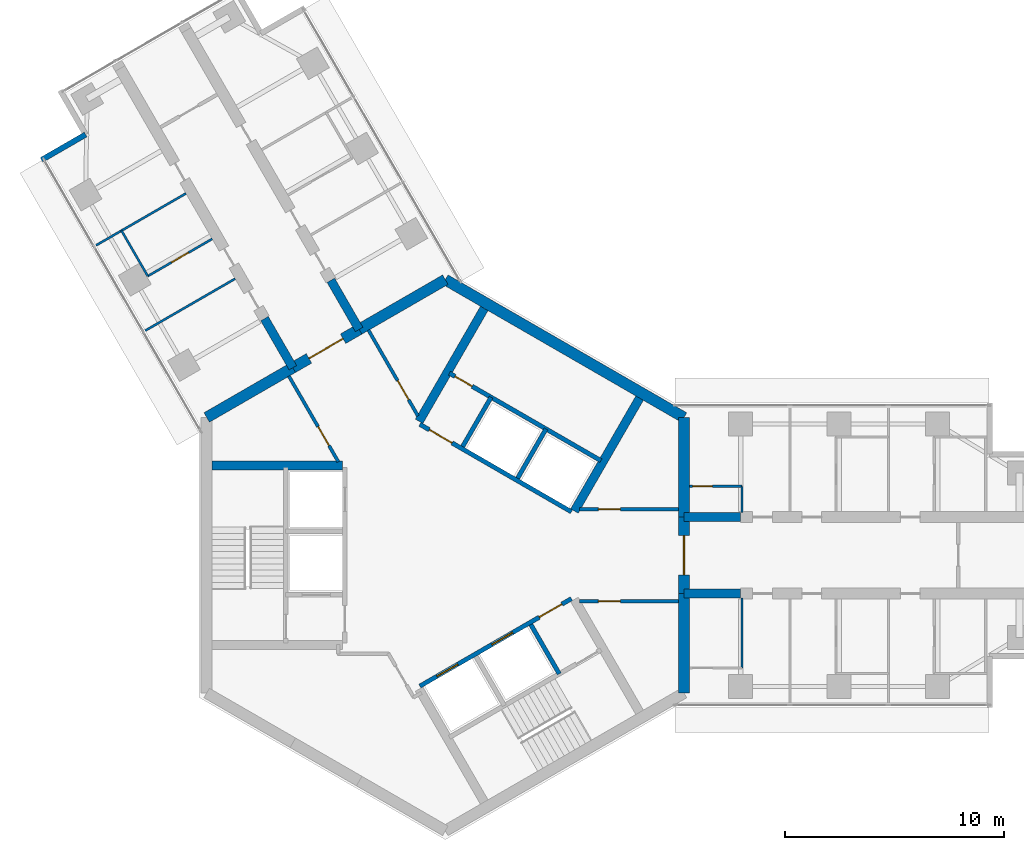
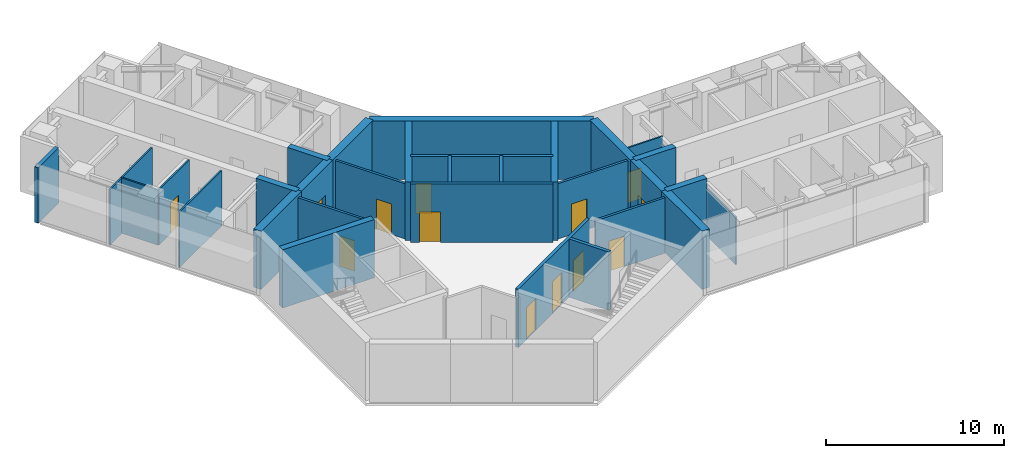
# One storey, part 12 of 17: 32 walls, 13 doors, 13 openings.
"""IFC4 building model written with IfcOpenShell, lengths in metres."""

from ifc_helpers import new_model, si_unit, direction, frame, frame_2d, origin, place, context, subcontext, project, spatial, rectangle, extrude, material, layer, layer_set, type_object, element, fill, save


model = new_model("IFC4")

# Units and contexts
model_context = context("Model", 3, precision=1e-05, world=origin(), true_north=direction((0.0, 1.0)))
body_context = subcontext(model_context, "Body", "Model", "MODEL_VIEW")
ifc_project = project(units=[si_unit("LENGTHUNIT", "METRE"), si_unit("AREAUNIT", "SQUARE_METRE"), si_unit("VOLUMEUNIT", "CUBIC_METRE"), si_unit("PLANEANGLEUNIT", "RADIAN"), si_unit("MASSUNIT", "GRAM", prefix="KILO")], contexts=[model_context])

# Site, building, storey
site_placement = place(None, origin())
site = spatial("IfcSite", under=ifc_project, at=site_placement, CompositionType="ELEMENT")
building_placement = place(site_placement, origin())
building = spatial("IfcBuilding", under=site, at=building_placement, Name="Upepo Twin Towers", CompositionType="ELEMENT")
storey_placement = place(building_placement, frame((0.0, 0.0, 230.5)))
storey = spatial("IfcBuildingStorey", under=building, at=storey_placement, Name="L56", CompositionType="ELEMENT", Elevation=230.5)

# Walls
ifc_material_1 = material(Name="Concrete C60/75", Category="concrete")
ifc_layer_1 = layer(ifc_material_1, 0.39990234375)
ifc_layer_set_1 = layer_set([ifc_layer_1], Name="Concrete C60/75")
wall_type_1 = type_object("IfcWallType", Name="Buttress wall 400 RC", PredefinedType="SHEAR", material=ifc_layer_set_1)
for number, where, z_axis, x_axis, name in (
    (1, (10.908447265625, 1.75, 0.0), (0.0, 0.0, 1.0), (1.0, 0.0, 0.0), "T1 wing A buttress wall L"),
    (2, (10.908447265625, -1.75, 0.0), (0.0, 0.0, 1.0), (1.0, 0.0, 0.0), "T1 wing A buttress wall R"),
):
    element("IfcWall", number, at=place(storey_placement, frame(where, z_axis=z_axis, x_axis=x_axis)), inside=storey, type_object=wall_type_1, Name=name, PredefinedType="SHEAR", context=body_context, shape_type="SweptSolid", body=[
        extrude(rectangle(XDim=2.591552734375, YDim=0.39990234375, at=frame_2d((1.2958984375, 0.0))), origin(), (0.0, 0.0, 1.0), 4.0),
    ])
for number, where, z_axis, x_axis, name in (
    (3, (-6.9697265625, 8.57177734375, 0.0), (0.0, 0.0, 1.0), (-0.499988811324, 0.866031863473, 0.0), "T1 wing B buttress wall L"),
    (4, (-3.938720703125, 10.32177734375, 0.0), (0.0, 0.0, 1.0), (-0.499918158782, 0.866072649678, 0.0), "T1 wing B buttress wall R"),
):
    element("IfcWall", number, at=place(storey_placement, frame(where, z_axis=z_axis, x_axis=x_axis)), inside=storey, type_object=wall_type_1, Name=name, PredefinedType="SHEAR", context=body_context, shape_type="SweptSolid", body=[
        extrude(rectangle(XDim=2.591796875, YDim=0.39990234375, at=frame_2d((1.2958984375, 0.0))), origin(), (0.0, 0.0, 1.0), 4.0),
    ])
ifc_material_2 = material(Name="Concrete C60/75", Category="concrete")
ifc_layer_2 = layer(ifc_material_2, 0.5)
ifc_layer_set_2 = layer_set([ifc_layer_2], Name="Concrete C60/75")
wall_type_2 = type_object("IfcWallType", Name="Core wall 500 RC", PredefinedType="SHEAR", material=ifc_layer_set_2)
wall_1_placement = place(storey_placement, frame((10.908447265625, -6.2978515625, 0.0), z_axis=(0.0, 0.0, 1.0), x_axis=(0.0, 1.0, 0.0)))
element("IfcWall", 5, at=wall_1_placement, inside=storey, type_object=wall_type_2, Name="T1 core wall 000 R", PredefinedType="SHEAR", context=body_context, shape_type="SweptSolid", body=[
    extrude(rectangle(XDim=4.5478515625, YDim=0.5, at=frame_2d((2.27392578125, 0.0))), origin(), (0.0, 0.0, 1.0), 4.0),
])

# Wall, opening, door
wall_2_placement = place(storey_placement, frame((10.908447265625, -1.75, 0.0), z_axis=(0.0, 0.0, 1.0), x_axis=(0.0, 1.0, 0.0)))
wall_2 = element("IfcWall", 6, at=wall_2_placement, inside=storey, type_object=wall_type_2, Name="T1 core wall 000", PredefinedType="SHEAR", context=body_context, shape_type="SweptSolid", body=[
    extrude(rectangle(XDim=3.5, YDim=0.5, at=frame_2d((1.75, 0.0))), origin(), (0.0, 0.0, 1.0), 4.0),
])
opening_1_placement = place(wall_2_placement, frame((0.85009765625, 0.0, 0.0)))
opening_1 = element("IfcOpeningElement", 7, at=opening_1_placement, cuts=wall_2, Name="Opening D2", PredefinedType="OPENING", context=body_context, shape_type="SweptSolid", body=[
    extrude(rectangle(XDim=1.800048828125, YDim=2.10009765625, at=frame_2d((0.89990234375, 1.050048828125))), frame((0.0, 0.260009765625, 0.0), z_axis=(0.0, -1.0, 0.0), x_axis=(1.0, 0.0, 0.0)), (0.0, 0.0, 1.0), 0.52001953125),
])
ifc_material_3 = material(Name="Timber doorset", Category="wood")
door_type_1 = type_object("IfcDoorType", Name="Corridor double door 1800 FD60", OperationType="DOUBLE_DOOR_DOUBLE_SWING", PredefinedType="DOOR", material=ifc_material_3)
door_1_placement = place(opening_1_placement, origin())
door_1 = element("IfcDoor", 8, at=door_1_placement, inside=storey, type_object=door_type_1, Name="T1 L56 wing A corridor door", OperationType="DOUBLE_DOOR_DOUBLE_SWING", OverallHeight=2.10009765625, OverallWidth=1.800048828125, PredefinedType="DOOR", context=body_context, shape_type="SweptSolid", body=[
    extrude(rectangle(XDim=1.800048828125, YDim=2.10009765625, at=frame_2d((0.89990234375, 1.050048828125))), frame((0.0, 0.02490234375, 0.0), z_axis=(0.0, -1.0, 0.0), x_axis=(1.0, 0.0, 0.0)), (0.0, 0.0, 1.0), 0.050048828125),
])
fill(opening_1, door_1)

# Walls
wall_3_placement = place(storey_placement, frame((10.908447265625, 1.75, 0.0), z_axis=(0.0, 0.0, 1.0), x_axis=(0.0, 1.0, 0.0)))
element("IfcWall", 9, at=wall_3_placement, inside=storey, type_object=wall_type_2, Name="T1 core wall 000 L", PredefinedType="SHEAR", context=body_context, shape_type="SweptSolid", body=[
    extrude(rectangle(XDim=4.5478515625, YDim=0.5, at=frame_2d((2.27392578125, 0.0))), origin(), (0.0, 0.0, 1.0), 4.0),
])
wall_4_placement = place(storey_placement, frame((10.908447265625, 6.2978515625, 0.0), z_axis=(0.0, 0.0, 1.0), x_axis=(-0.866021940709, 0.500005998175, 0.0)))
element("IfcWall", 10, at=wall_4_placement, inside=storey, type_object=wall_type_2, Name="T1 core wall 060", PredefinedType="SHEAR", context=body_context, shape_type="SweptSolid", body=[
    extrude(rectangle(XDim=12.595947265625, YDim=0.5, at=frame_2d((6.2978515625, 0.0))), origin(), (0.0, 0.0, 1.0), 4.0),
])
wall_5_placement = place(storey_placement, frame((0.0, 12.595947265625, 0.0), z_axis=(0.0, 0.0, 1.0), x_axis=(-0.866011268655, -0.500024481964, 0.0)))
element("IfcWall", 11, at=wall_5_placement, inside=storey, type_object=wall_type_2, Name="T1 core wall 120 R", PredefinedType="SHEAR", context=body_context, shape_type="SweptSolid", body=[
    extrude(rectangle(XDim=4.548095703125, YDim=0.5, at=frame_2d((2.27392578125, 0.0))), origin(), (0.0, 0.0, 1.0), 4.0),
])

# Wall, opening, door
wall_6_placement = place(storey_placement, frame((-3.938720703125, 10.32177734375, 0.0), z_axis=(0.0, 0.0, 1.0), x_axis=(-0.866019471182, -0.500010275428, 0.0)))
wall_6 = element("IfcWall", 12, at=wall_6_placement, inside=storey, type_object=wall_type_2, Name="T1 core wall 120", PredefinedType="SHEAR", context=body_context, shape_type="SweptSolid", body=[
    extrude(rectangle(XDim=3.5, YDim=0.5, at=frame_2d((1.75, 0.0))), origin(), (0.0, 0.0, 1.0), 4.0),
])
opening_2_placement = place(wall_6_placement, frame((0.85009765625, 0.0, 0.0)))
opening_2 = element("IfcOpeningElement", 13, at=opening_2_placement, cuts=wall_6, Name="Opening D2", PredefinedType="OPENING", context=body_context, shape_type="SweptSolid", body=[
    extrude(rectangle(XDim=1.800048828125, YDim=2.10009765625, at=frame_2d((0.89990234375, 1.050048828125))), frame((0.0, 0.260009765625, 0.0), z_axis=(0.0, -1.0, 0.0), x_axis=(1.0, 0.0, 0.0)), (0.0, 0.0, 1.0), 0.52001953125),
])
door_2_placement = place(opening_2_placement, origin())
door_2 = element("IfcDoor", 14, at=door_2_placement, inside=storey, type_object=door_type_1, Name="T1 L56 wing B corridor door", OperationType="DOUBLE_DOOR_DOUBLE_SWING", OverallHeight=2.10009765625, OverallWidth=1.800048828125, PredefinedType="DOOR", context=body_context, shape_type="SweptSolid", body=[
    extrude(rectangle(XDim=1.800048828125, YDim=2.10009765625, at=frame_2d((0.89990234375, 1.050048828125))), frame((0.0, 0.02490234375, 0.0), z_axis=(0.0, -1.0, 0.0), x_axis=(1.0, 0.0, 0.0)), (0.0, 0.0, 1.0), 0.050048828125),
])
fill(opening_2, door_2)

# Walls
wall_7_placement = place(storey_placement, frame((-6.9697265625, 8.57177734375, 0.0), z_axis=(0.0, 0.0, 1.0), x_axis=(-0.866034513004, -0.499984222037, 0.0)))
element("IfcWall", 15, at=wall_7_placement, inside=storey, type_object=wall_type_2, Name="T1 core wall 120 L", PredefinedType="SHEAR", context=body_context, shape_type="SweptSolid", body=[
    extrude(rectangle(XDim=4.548095703125, YDim=0.5, at=frame_2d((2.27392578125, 0.0))), origin(), (0.0, 0.0, 1.0), 4.0),
])
ifc_material_4 = material(Name="Blockwork with anodised aluminium cladding", Category="masonry")
ifc_layer_3 = layer(ifc_material_4, 0.25)
ifc_layer_set_3 = layer_set([ifc_layer_3], Name="Notch cladding wall 250, pale metal")
wall_type_3 = type_object("IfcWallType", Name="Notch cladding wall 250, pale metal", PredefinedType="STANDARD", material=ifc_layer_set_3)
wall_8_placement = place(storey_placement, frame((-18.456298828125, 18.0673828125, 0.0), z_axis=(0.0, 0.0, 1.0), x_axis=(0.865998469481, 0.500046648681, 0.0)))
element("IfcWall", 16, at=wall_8_placement, inside=storey, type_object=wall_type_3, Name="T1 L56 wing B notch wall L1", PredefinedType="STANDARD", context=body_context, shape_type="SweptSolid", body=[
    extrude(rectangle(XDim=2.324951171875, YDim=0.25, at=frame_2d((1.16259765625, 0.0))), origin(), (0.0, 0.0, 1.0), 3.800048828125),
])

# Wall, opening, door
ifc_material_5 = material(Name="Gypsum board on steel studs", Category="steel")
ifc_layer_4 = layer(ifc_material_5, 0.10009765625)
ifc_layer_set_4 = layer_set([ifc_layer_4], Name="Office partition 100 stud")
wall_type_4 = type_object("IfcWallType", Name="Office partition 100 stud", PredefinedType="PARTITIONING", material=ifc_layer_set_4)
wall_9_placement = place(storey_placement, frame((11.157958984375, 3.14990234375, 0.0), z_axis=(0.0, 0.0, 1.0), x_axis=(1.0, 0.0, 0.0)))
wall_9 = element("IfcWall", 17, at=wall_9_placement, inside=storey, type_object=wall_type_4, Name="T1 WC bay partition AL at 11.16", PredefinedType="PARTITIONING", context=body_context, shape_type="SweptSolid", body=[
    extrude(rectangle(XDim=2.400146484375, YDim=0.10009765625, at=frame_2d((1.2001953125, 0.0))), origin(), (0.0, 0.0, 1.0), 3.800048828125),
])
opening_3_placement = place(wall_9_placement, frame((0.14990234375, 0.0, 0.0)))
opening_3 = element("IfcOpeningElement", 18, at=opening_3_placement, cuts=wall_9, Name="Opening D14", PredefinedType="OPENING", context=body_context, shape_type="SweptSolid", body=[
    extrude(rectangle(XDim=0.89990234375, YDim=2.10009765625, at=frame_2d((0.449951171875, 1.050048828125))), frame((0.0, 0.06005859375, 0.0), z_axis=(0.0, -1.0, 0.0), x_axis=(1.0, 0.0, 0.0)), (0.0, 0.0, 1.0), 0.1201171875),
])
ifc_material_6 = material(Name="Timber doorset", Category="wood")
door_type_2 = type_object("IfcDoorType", Name="Office door 900 FD30", OperationType="SINGLE_SWING_LEFT", PredefinedType="DOOR", material=ifc_material_6)
door_3_placement = place(opening_3_placement, origin())
door_3 = element("IfcDoor", 19, at=door_3_placement, inside=storey, type_object=door_type_2, Name="T1 L56 WC bay inner room door", OperationType="SINGLE_SWING_LEFT", OverallHeight=2.10009765625, OverallWidth=0.89990234375, PredefinedType="DOOR", context=body_context, shape_type="SweptSolid", body=[
    extrude(rectangle(XDim=0.89990234375, YDim=2.10009765625, at=frame_2d((0.449951171875, 1.050048828125))), frame((0.0, 0.02490234375, 0.0), z_axis=(0.0, -1.0, 0.0), x_axis=(1.0, 0.0, 0.0)), (0.0, 0.0, 1.0), 0.050048828125),
])
fill(opening_3, door_3)

# Walls
wall_10_placement = place(storey_placement, frame((13.55810546875, 1.949951171875, 0.0), z_axis=(0.0, 0.0, 1.0), x_axis=(0.0, 1.0, 0.0)))
element("IfcWall", 20, at=wall_10_placement, inside=storey, type_object=wall_type_4, Name="T1 WC bay partition AL end at 13.56", PredefinedType="PARTITIONING", context=body_context, shape_type="SweptSolid", body=[
    extrude(rectangle(XDim=1.199951171875, YDim=0.10009765625, at=frame_2d((0.60009765625, 0.0))), origin(), (0.0, 0.0, 1.0), 3.266845703125),
])
wall_11_placement = place(storey_placement, frame((13.55810546875, -1.949951171875, 0.0), z_axis=(0.0, 0.0, 1.0), x_axis=(0.0, -1.0, 0.0)))
element("IfcWall", 21, at=wall_11_placement, inside=storey, type_object=wall_type_4, Name="T1 WC bay partition AR end at 13.56", PredefinedType="PARTITIONING", context=body_context, shape_type="SweptSolid", body=[
    extrude(rectangle(XDim=3.199951171875, YDim=0.10009765625, at=frame_2d((1.60009765625, 0.0))), origin(), (0.0, 0.0, 1.0), 3.266845703125),
])
for number, where, z_axis, x_axis, name in (
    (22, (-9.60693359375, 12.639892578125, 0.0), (0.0, 0.0, 1.0), (-0.866033238375, -0.499986429846, 0.0), "T1 partition BL at 15.75"),
    (23, (-11.85693359375, 16.537109375, 0.0), (0.0, 0.0, 1.0), (-0.866033238375, -0.499986429846, 0.0), "T1 partition BL at 20.25"),
):
    element("IfcWall", number, at=place(storey_placement, frame(where, z_axis=z_axis, x_axis=x_axis)), inside=storey, type_object=wall_type_4, Name=name, PredefinedType="PARTITIONING", context=body_context, shape_type="SweptSolid", body=[
        extrude(rectangle(XDim=4.750244140625, YDim=0.10009765625, at=frame_2d((2.375, 0.0))), origin(), (0.0, 0.0, 1.0), 3.800048828125),
    ])
wall_12_placement = place(storey_placement, frame((-13.6015625, 12.758544921875, 0.0), z_axis=(0.0, 0.0, 1.0), x_axis=(-0.500001309137, 0.866024647952, 0.0)))
element("IfcWall", 24, at=wall_12_placement, inside=storey, type_object=wall_type_4, Name="T1 inner room partition BL at 17.85", PredefinedType="PARTITIONING", context=body_context, shape_type="SweptSolid", body=[
    extrude(rectangle(XDim=2.39990234375, YDim=0.10009765625, at=frame_2d((1.199951171875, 0.0))), origin(), (0.0, 0.0, 1.0), 3.800048828125),
])

# Wall, opening, door
wall_13_placement = place(storey_placement, frame((-10.656982421875, 14.45849609375, 0.0), z_axis=(0.0, 0.0, 1.0), x_axis=(-0.866038511948, -0.499977295307, 0.0)))
wall_13 = element("IfcWall", 25, at=wall_13_placement, inside=storey, type_object=wall_type_4, Name="T1 inner room partition BL end at 17.85", PredefinedType="PARTITIONING", context=body_context, shape_type="SweptSolid", body=[
    extrude(rectangle(XDim=3.400146484375, YDim=0.10009765625, at=frame_2d((1.7001953125, 0.0))), origin(), (0.0, 0.0, 1.0), 3.800048828125),
])
opening_4_placement = place(wall_13_placement, frame((1.25, 0.0, 0.0)))
opening_4 = element("IfcOpeningElement", 26, at=opening_4_placement, cuts=wall_13, Name="Opening D14", PredefinedType="OPENING", context=body_context, shape_type="SweptSolid", body=[
    extrude(rectangle(XDim=0.89990234375, YDim=2.10009765625, at=frame_2d((0.449951171875, 1.050048828125))), frame((0.0, 0.06005859375, 0.0), z_axis=(0.0, -1.0, 0.0), x_axis=(1.0, 0.0, 0.0)), (0.0, 0.0, 1.0), 0.1201171875),
])
door_4_placement = place(opening_4_placement, origin())
door_4 = element("IfcDoor", 27, at=door_4_placement, inside=storey, type_object=door_type_2, Name="T1 L56 inner room door", OperationType="SINGLE_SWING_LEFT", OverallHeight=2.10009765625, OverallWidth=0.89990234375, PredefinedType="DOOR", context=body_context, shape_type="SweptSolid", body=[
    extrude(rectangle(XDim=0.89990234375, YDim=2.10009765625, at=frame_2d((0.449951171875, 1.050048828125))), frame((0.0, 0.02490234375, 0.0), z_axis=(0.0, -1.0, 0.0), x_axis=(1.0, 0.0, 0.0)), (0.0, 0.0, 1.0), 0.050048828125),
])
fill(opening_4, door_4)

ifc_material_7 = material(Name="Concrete C40/50", Category="concrete")
ifc_layer_5 = layer(ifc_material_7, 0.199951171875)
ifc_layer_set_5 = layer_set([ifc_layer_5], Name="Concrete C40/50")
wall_type_5 = type_object("IfcWallType", Name="Shaft wall 200 RC", PredefinedType="SHEAR", material=ifc_layer_set_5)
wall_14_placement = place(storey_placement, frame((5.76416015625, 1.983642578125, 0.0), z_axis=(0.0, 0.0, 1.0), x_axis=(-0.866026010844, 0.49999894854, 0.0)))
wall_14 = element("IfcWall", 28, at=wall_14_placement, inside=storey, type_object=wall_type_5, Name="T1 core W60 front wall", PredefinedType="SHEAR", context=body_context, shape_type="SweptSolid", body=[
    extrude(rectangle(XDim=8.0, YDim=0.199951171875, at=frame_2d((4.0, 0.0))), origin(), (0.0, 0.0, 1.0), 4.0),
])
opening_5_placement = place(wall_14_placement, frame((6.300048828125, 0.0, 0.0)))
opening_5 = element("IfcOpeningElement", 29, at=opening_5_placement, cuts=wall_14, Name="Opening D4", PredefinedType="OPENING", context=body_context, shape_type="SweptSolid", body=[
    extrude(rectangle(XDim=1.199951171875, YDim=2.10009765625, at=frame_2d((0.60009765625, 1.050048828125))), frame((0.0, 0.10986328125, 0.0), z_axis=(0.0, -1.0, 0.0), x_axis=(1.0, 0.0, 0.0)), (0.0, 0.0, 1.0), 0.219970703125),
])
ifc_material_8 = material(Name="Timber doorset", Category="wood")
door_type_3 = type_object("IfcDoorType", Name="Lobby door 1200 FD60", OperationType="SINGLE_SWING_LEFT", PredefinedType="DOOR", material=ifc_material_8)
door_5_placement = place(opening_5_placement, origin())
door_5 = element("IfcDoor", 30, at=door_5_placement, inside=storey, type_object=door_type_3, Name="T1 L56 W60 lobby door", OperationType="SINGLE_SWING_RIGHT", OverallHeight=2.10009765625, OverallWidth=1.199951171875, PredefinedType="DOOR", context=body_context, shape_type="SweptSolid", body=[
    extrude(rectangle(XDim=1.199951171875, YDim=2.10009765625, at=frame_2d((0.60009765625, 1.050048828125))), frame((0.0, 0.02490234375, 0.0), z_axis=(0.0, -1.0, 0.0), x_axis=(1.0, 0.0, 0.0)), (0.0, 0.0, 1.0), 0.050048828125),
])
fill(opening_5, door_5)

# Walls
for number, where, z_axis, x_axis, name in (
    (31, (3.302734375, 3.520263671875, 0.0), (0.0, 0.0, 1.0), (0.499936506574, 0.866062058628, 0.0), "T1 core W60 shaft divider"),
    (32, (0.791259765625, 4.97021484375, 0.0), (0.0, 0.0, 1.0), (0.499936506574, 0.866062058628, 0.0), "T1 core W60 lobby wall"),
):
    element("IfcWall", number, at=place(storey_placement, frame(where, z_axis=z_axis, x_axis=x_axis)), inside=storey, type_object=wall_type_5, Name=name, PredefinedType="SHEAR", context=body_context, shape_type="SweptSolid", body=[
        extrude(rectangle(XDim=2.599853515625, YDim=0.199951171875, at=frame_2d((1.2998046875, 0.0))), origin(), (0.0, 0.0, 1.0), 4.0),
    ])

# Wall, opening, door
wall_15_placement = place(storey_placement, frame((7.114013671875, 4.322021484375, 0.0), z_axis=(0.0, 0.0, 1.0), x_axis=(-0.866026010844, 0.49999894854, 0.0)))
wall_15 = element("IfcWall", 33, at=wall_15_placement, inside=storey, type_object=wall_type_5, Name="T1 core W60 stair wall", PredefinedType="SHEAR", context=body_context, shape_type="SweptSolid", body=[
    extrude(rectangle(XDim=8.0, YDim=0.199951171875, at=frame_2d((4.0, 0.0))), origin(), (0.0, 0.0, 1.0), 4.0),
])
opening_6_placement = place(wall_15_placement, frame((6.800048828125, 0.0, 0.0)))
opening_6 = element("IfcOpeningElement", 34, at=opening_6_placement, cuts=wall_15, Name="Opening D9", PredefinedType="OPENING", context=body_context, shape_type="SweptSolid", body=[
    extrude(rectangle(XDim=0.89990234375, YDim=2.10009765625, at=frame_2d((0.449951171875, 1.050048828125))), frame((0.0, 0.10986328125, 0.0), z_axis=(0.0, -1.0, 0.0), x_axis=(1.0, 0.0, 0.0)), (0.0, 0.0, 1.0), 0.219970703125),
])
ifc_material_9 = material(Name="Timber doorset", Category="wood")
door_type_4 = type_object("IfcDoorType", Name="Riser door 900 FD60", OperationType="SINGLE_SWING_LEFT", PredefinedType="DOOR", material=ifc_material_9)
door_6_placement = place(opening_6_placement, origin())
door_6 = element("IfcDoor", 35, at=door_6_placement, inside=storey, type_object=door_type_4, Name="T1 L56 riser door", OperationType="SINGLE_SWING_RIGHT", OverallHeight=2.10009765625, OverallWidth=0.89990234375, PredefinedType="DOOR", context=body_context, shape_type="SweptSolid", body=[
    extrude(rectangle(XDim=0.89990234375, YDim=2.10009765625, at=frame_2d((0.449951171875, 1.050048828125))), frame((0.0, 0.02490234375, 0.0), z_axis=(0.0, -1.0, 0.0), x_axis=(1.0, 0.0, 0.0)), (0.0, 0.0, 1.0), 0.050048828125),
])
fill(opening_6, door_6)

# Wall, openings, doors
wall_16_placement = place(storey_placement, frame((-1.1640625, -5.983642578125, 0.0), z_axis=(0.0, 0.0, 1.0), x_axis=(0.866026010844, 0.49999894854, 0.0)))
wall_16 = element("IfcWall", 36, at=wall_16_placement, inside=storey, type_object=wall_type_5, Name="T1 core W300 front wall", PredefinedType="SHEAR", context=body_context, shape_type="SweptSolid", body=[
    extrude(rectangle(XDim=8.0, YDim=0.199951171875, at=frame_2d((4.0, 0.0))), origin(), (0.0, 0.0, 1.0), 4.0),
])
opening_7_placement = place(wall_16_placement, frame((6.300048828125, 0.0, 0.0)))
opening_7 = element("IfcOpeningElement", 37, at=opening_7_placement, cuts=wall_16, Name="Opening D4", PredefinedType="OPENING", context=body_context, shape_type="SweptSolid", body=[
    extrude(rectangle(XDim=1.199951171875, YDim=2.10009765625, at=frame_2d((0.60009765625, 1.050048828125))), frame((0.0, 0.10986328125, 0.0), z_axis=(0.0, -1.0, 0.0), x_axis=(1.0, 0.0, 0.0)), (0.0, 0.0, 1.0), 0.219970703125),
])
opening_8_placement = place(wall_16_placement, frame((0.89990234375, 0.0, 0.0)))
opening_8 = element("IfcOpeningElement", 38, at=opening_8_placement, cuts=wall_16, Name="Opening LD1", PredefinedType="OPENING", context=body_context, shape_type="SweptSolid", body=[
    extrude(rectangle(XDim=1.10009765625, YDim=2.199951171875, at=frame_2d((0.550048828125, 1.10009765625))), frame((0.0, 0.10986328125, 0.0), z_axis=(0.0, -1.0, 0.0), x_axis=(1.0, 0.0, 0.0)), (0.0, 0.0, 1.0), 0.219970703125),
])
opening_9_placement = place(wall_16_placement, frame((3.800048828125, 0.0, 0.0)))
opening_9 = element("IfcOpeningElement", 39, at=opening_9_placement, cuts=wall_16, Name="Opening LD1", PredefinedType="OPENING", context=body_context, shape_type="SweptSolid", body=[
    extrude(rectangle(XDim=1.10009765625, YDim=2.199951171875, at=frame_2d((0.550048828125, 1.10009765625))), frame((0.0, 0.10986328125, 0.0), z_axis=(0.0, -1.0, 0.0), x_axis=(1.0, 0.0, 0.0)), (0.0, 0.0, 1.0), 0.219970703125),
])
ifc_material_10 = material(Name="Steel doorset", Category="steel")
door_type_5 = type_object("IfcDoorType", Name="Lift landing door 1100", OperationType="DOUBLE_DOOR_SLIDING", PredefinedType="DOOR", material=ifc_material_10)
door_7_placement = place(opening_8_placement, origin())
door_7 = element("IfcDoor", 40, at=door_7_placement, inside=storey, type_object=door_type_5, Name="T1 L56 lift UL1 landing door", OperationType="DOUBLE_DOOR_SLIDING", OverallHeight=2.199951171875, OverallWidth=1.10009765625, PredefinedType="DOOR", context=body_context, shape_type="SweptSolid", body=[
    extrude(rectangle(XDim=1.10009765625, YDim=2.199951171875, at=frame_2d((0.550048828125, 1.10009765625))), frame((0.0, 0.02490234375, 0.0), z_axis=(0.0, -1.0, 0.0), x_axis=(1.0, 0.0, 0.0)), (0.0, 0.0, 1.0), 0.050048828125),
])
fill(opening_8, door_7)
door_8_placement = place(opening_9_placement, origin())
door_8 = element("IfcDoor", 41, at=door_8_placement, inside=storey, type_object=door_type_5, Name="T1 L56 lift UL2 landing door", OperationType="DOUBLE_DOOR_SLIDING", OverallHeight=2.199951171875, OverallWidth=1.10009765625, PredefinedType="DOOR", context=body_context, shape_type="SweptSolid", body=[
    extrude(rectangle(XDim=1.10009765625, YDim=2.199951171875, at=frame_2d((0.550048828125, 1.10009765625))), frame((0.0, 0.02490234375, 0.0), z_axis=(0.0, -1.0, 0.0), x_axis=(1.0, 0.0, 0.0)), (0.0, 0.0, 1.0), 0.050048828125),
])
fill(opening_9, door_8)
door_9_placement = place(opening_7_placement, origin())
door_9 = element("IfcDoor", 42, at=door_9_placement, inside=storey, type_object=door_type_3, Name="T1 L56 W300 lobby door", OperationType="SINGLE_SWING_RIGHT", OverallHeight=2.10009765625, OverallWidth=1.199951171875, PredefinedType="DOOR", context=body_context, shape_type="SweptSolid", body=[
    extrude(rectangle(XDim=1.199951171875, YDim=2.10009765625, at=frame_2d((0.60009765625, 1.050048828125))), frame((0.0, 0.02490234375, 0.0), z_axis=(0.0, -1.0, 0.0), x_axis=(1.0, 0.0, 0.0)), (0.0, 0.0, 1.0), 0.050048828125),
])
fill(opening_7, door_9)

# Walls
wall_17_placement = place(storey_placement, frame((3.908935546875, -3.17041015625, 0.0), z_axis=(0.0, 0.0, 1.0), x_axis=(0.49997716683, -0.86603858612, 0.0)))
element("IfcWall", 43, at=wall_17_placement, inside=storey, type_object=wall_type_5, Name="T1 core W300 lobby wall", PredefinedType="SHEAR", context=body_context, shape_type="SweptSolid", body=[
    extrude(rectangle(XDim=2.599609375, YDim=0.199951171875, at=frame_2d((1.2998046875, 0.0))), origin(), (0.0, 0.0, 1.0), 4.0),
])
ifc_material_11 = material(Name="Concrete C40/50", Category="concrete")
ifc_layer_6 = layer(ifc_material_11, 0.39990234375)
ifc_layer_set_6 = layer_set([ifc_layer_6], Name="Concrete C40/50")
wall_type_6 = type_object("IfcWallType", Name="Shaft wall 400 RC", PredefinedType="SHEAR", material=ifc_layer_set_6)
wall_18_placement = place(storey_placement, frame((-1.20068359375, 6.120361328125, 0.0), z_axis=(0.0, 0.0, 1.0), x_axis=(0.500021575205, 0.866012946976, 0.0)))
element("IfcWall", 44, at=wall_18_placement, inside=storey, type_object=wall_type_6, Name="T1 core W60 side wall N", PredefinedType="SHEAR", context=body_context, shape_type="SweptSolid", body=[
    extrude(rectangle(XDim=5.958251953125, YDim=0.39990234375, at=frame_2d((2.97900390625, 0.0))), origin(), (0.0, 0.0, 1.0), 4.0),
])
for number, where, z_axis, x_axis, name in (
    (45, (5.900634765625, 2.020263671875, 0.0), (0.0, 0.0, 1.0), (0.500003832394, 0.86602319114, 0.0), "T1 core W60 side wall S"),
    (46, (-4.699951171875, 4.10009765625, 0.0), (0.0, 0.0, 1.0), (-1.0, 0.0, 0.0), "T1 core W180 side wall S"),
):
    element("IfcWall", number, at=place(storey_placement, frame(where, z_axis=z_axis, x_axis=x_axis)), inside=storey, type_object=wall_type_6, Name=name, PredefinedType="SHEAR", context=body_context, shape_type="SweptSolid", body=[
        extrude(rectangle(XDim=5.95849609375, YDim=0.39990234375, at=frame_2d((2.979248046875, 0.0))), origin(), (0.0, 0.0, 1.0), 4.0),
    ])

# Wall, opening, door
ifc_material_12 = material(Name="Gypsum board on steel studs", Category="steel")
ifc_layer_7 = layer(ifc_material_12, 0.14990234375)
ifc_layer_set_7 = layer_set([ifc_layer_7], Name="Teaching partition 150 acoustic")
wall_type_7 = type_object("IfcWallType", Name="Teaching partition 150 acoustic", PredefinedType="PARTITIONING", material=ifc_layer_set_7)
wall_19_placement = place(storey_placement, frame((-4.889892578125, 4.269775390625, 0.0), z_axis=(0.0, 0.0, 1.0), x_axis=(-0.500032211057, 0.866006805923, 0.0)))
wall_19 = element("IfcWall", 47, at=wall_19_placement, inside=storey, type_object=wall_type_7, Name="T1 core room partition 4", PredefinedType="PARTITIONING", context=body_context, shape_type="SweptSolid", body=[
    extrude(rectangle(XDim=4.525634765625, YDim=0.14990234375, at=frame_2d((2.2626953125, 0.0))), origin(), (0.0, 0.0, 1.0), 3.800048828125),
])
opening_10_placement = place(wall_19_placement, frame((0.857666015625, 0.0, 0.0)))
opening_10 = element("IfcOpeningElement", 48, at=opening_10_placement, cuts=wall_19, Name="Opening D1", PredefinedType="OPENING", context=body_context, shape_type="SweptSolid", body=[
    extrude(rectangle(XDim=1.0, YDim=2.10009765625, at=frame_2d((0.5, 1.050048828125))), frame((0.0, 0.0849609375, 0.0), z_axis=(0.0, -1.0, 0.0), x_axis=(1.0, 0.0, 0.0)), (0.0, 0.0, 1.0), 0.169921875),
])
ifc_material_13 = material(Name="Timber doorset", Category="wood")
door_type_6 = type_object("IfcDoorType", Name="Room door 1000 FD30", OperationType="SINGLE_SWING_LEFT", PredefinedType="DOOR", material=ifc_material_13)
door_10_placement = place(opening_10_placement, origin())
door_10 = element("IfcDoor", 49, at=door_10_placement, inside=storey, type_object=door_type_6, Name="T1 L56 core room door K5", OperationType="SINGLE_SWING_LEFT", OverallHeight=2.10009765625, OverallWidth=1.0, PredefinedType="DOOR", context=body_context, shape_type="SweptSolid", body=[
    extrude(rectangle(XDim=1.0, YDim=2.10009765625, at=frame_2d((0.5, 1.050048828125))), frame((0.0, 0.02490234375, 0.0), z_axis=(0.0, -1.0, 0.0), x_axis=(1.0, 0.0, 0.0)), (0.0, 0.0, 1.0), 0.050048828125),
])
fill(opening_10, door_10)

wall_20_placement = place(storey_placement, frame((-3.515380859375, 10.2890625, 0.0), z_axis=(0.0, 0.0, 1.0), x_axis=(0.499968392031, -0.866043651885, 0.0)))
wall_20 = element("IfcWall", 50, at=wall_20_placement, inside=storey, type_object=wall_type_7, Name="T1 core room partition 5", PredefinedType="PARTITIONING", context=body_context, shape_type="SweptSolid", body=[
    extrude(rectangle(XDim=4.525634765625, YDim=0.14990234375, at=frame_2d((2.2626953125, 0.0))), origin(), (0.0, 0.0, 1.0), 3.800048828125),
])
opening_11_placement = place(wall_20_placement, frame((2.66796875, 0.0, 0.0)))
opening_11 = element("IfcOpeningElement", 51, at=opening_11_placement, cuts=wall_20, Name="Opening D1", PredefinedType="OPENING", context=body_context, shape_type="SweptSolid", body=[
    extrude(rectangle(XDim=1.0, YDim=2.10009765625, at=frame_2d((0.5, 1.050048828125))), frame((0.0, 0.0849609375, 0.0), z_axis=(0.0, -1.0, 0.0), x_axis=(1.0, 0.0, 0.0)), (0.0, 0.0, 1.0), 0.169921875),
])
door_11_placement = place(opening_11_placement, origin())
door_11 = element("IfcDoor", 52, at=door_11_placement, inside=storey, type_object=door_type_6, Name="T1 L56 core room door K4", OperationType="SINGLE_SWING_RIGHT", OverallHeight=2.10009765625, OverallWidth=1.0, PredefinedType="DOOR", context=body_context, shape_type="SweptSolid", body=[
    extrude(rectangle(XDim=1.0, YDim=2.10009765625, at=frame_2d((0.5, 1.050048828125))), frame((0.0, 0.02490234375, 0.0), z_axis=(0.0, -1.0, 0.0), x_axis=(1.0, 0.0, 0.0)), (0.0, 0.0, 1.0), 0.050048828125),
])
fill(opening_11, door_11)

wall_21_placement = place(storey_placement, frame((6.142578125, 2.10009765625, 0.0), z_axis=(0.0, 0.0, 1.0), x_axis=(1.0, 0.0, 0.0)))
wall_21 = element("IfcWall", 53, at=wall_21_placement, inside=storey, type_object=wall_type_7, Name="T1 core room partition 6", PredefinedType="PARTITIONING", context=body_context, shape_type="SweptSolid", body=[
    extrude(rectangle(XDim=4.525634765625, YDim=0.14990234375, at=frame_2d((2.2626953125, 0.0))), origin(), (0.0, 0.0, 1.0), 3.800048828125),
])
opening_12_placement = place(wall_21_placement, frame((0.857666015625, 0.0, 0.0)))
opening_12 = element("IfcOpeningElement", 54, at=opening_12_placement, cuts=wall_21, Name="Opening D1", PredefinedType="OPENING", context=body_context, shape_type="SweptSolid", body=[
    extrude(rectangle(XDim=1.0, YDim=2.10009765625, at=frame_2d((0.5, 1.050048828125))), frame((0.0, 0.0849609375, 0.0), z_axis=(0.0, -1.0, 0.0), x_axis=(1.0, 0.0, 0.0)), (0.0, 0.0, 1.0), 0.169921875),
])
door_12_placement = place(opening_12_placement, origin())
door_12 = element("IfcDoor", 55, at=door_12_placement, inside=storey, type_object=door_type_6, Name="T1 L56 core room door K3", OperationType="SINGLE_SWING_LEFT", OverallHeight=2.10009765625, OverallWidth=1.0, PredefinedType="DOOR", context=body_context, shape_type="SweptSolid", body=[
    extrude(rectangle(XDim=1.0, YDim=2.10009765625, at=frame_2d((0.5, 1.050048828125))), frame((0.0, 0.02490234375, 0.0), z_axis=(0.0, -1.0, 0.0), x_axis=(1.0, 0.0, 0.0)), (0.0, 0.0, 1.0), 0.050048828125),
])
fill(opening_12, door_12)

wall_22_placement = place(storey_placement, frame((10.668212890625, -2.10009765625, 0.0), z_axis=(0.0, 0.0, 1.0), x_axis=(-1.0, 0.0, 0.0)))
wall_22 = element("IfcWall", 56, at=wall_22_placement, inside=storey, type_object=wall_type_7, Name="T1 core room partition 7", PredefinedType="PARTITIONING", context=body_context, shape_type="SweptSolid", body=[
    extrude(rectangle(XDim=4.525634765625, YDim=0.14990234375, at=frame_2d((2.2626953125, 0.0))), origin(), (0.0, 0.0, 1.0), 3.800048828125),
])
opening_13_placement = place(wall_22_placement, frame((2.66796875, 0.0, 0.0)))
opening_13 = element("IfcOpeningElement", 57, at=opening_13_placement, cuts=wall_22, Name="Opening D1", PredefinedType="OPENING", context=body_context, shape_type="SweptSolid", body=[
    extrude(rectangle(XDim=1.0, YDim=2.10009765625, at=frame_2d((0.5, 1.050048828125))), frame((0.0, 0.0849609375, 0.0), z_axis=(0.0, -1.0, 0.0), x_axis=(1.0, 0.0, 0.0)), (0.0, 0.0, 1.0), 0.169921875),
])
door_13_placement = place(opening_13_placement, origin())
door_13 = element("IfcDoor", 58, at=door_13_placement, inside=storey, type_object=door_type_6, Name="T1 L56 core room door K2", OperationType="SINGLE_SWING_RIGHT", OverallHeight=2.10009765625, OverallWidth=1.0, PredefinedType="DOOR", context=body_context, shape_type="SweptSolid", body=[
    extrude(rectangle(XDim=1.0, YDim=2.10009765625, at=frame_2d((0.5, 1.050048828125))), frame((0.0, 0.02490234375, 0.0), z_axis=(0.0, -1.0, 0.0), x_axis=(1.0, 0.0, 0.0)), (0.0, 0.0, 1.0), 0.050048828125),
])
fill(opening_13, door_13)

save(model, "model.ifc")
